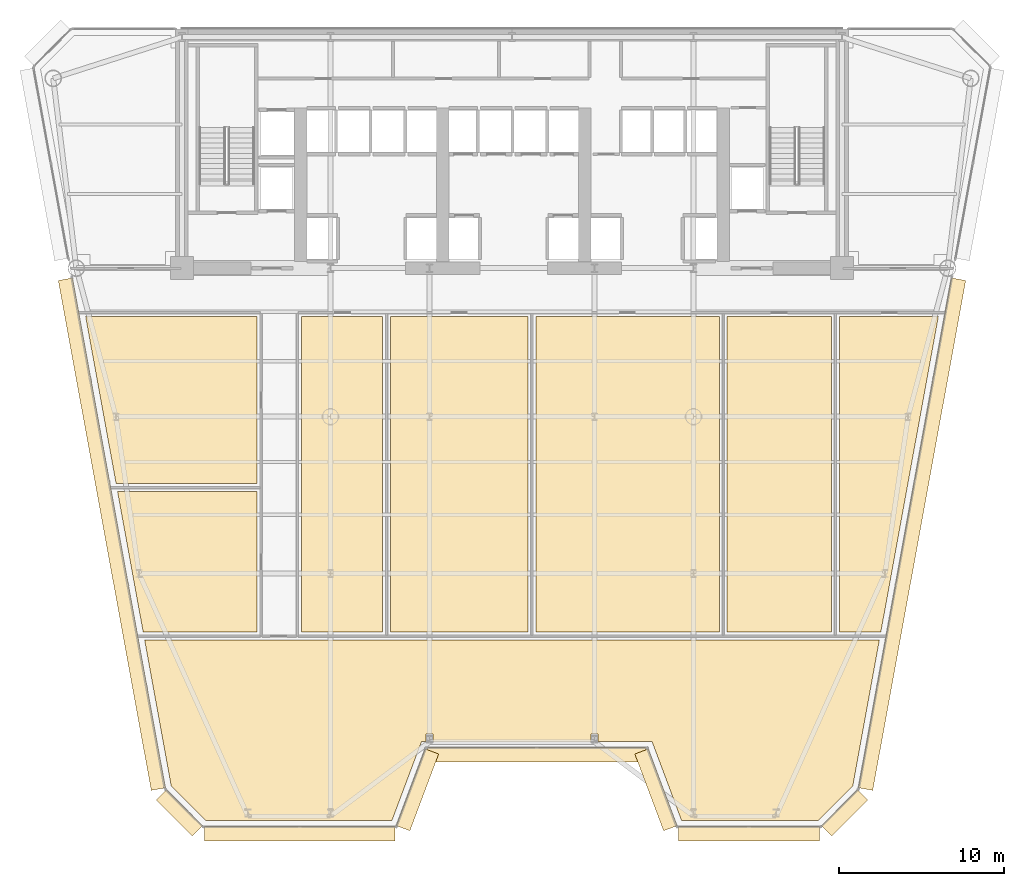
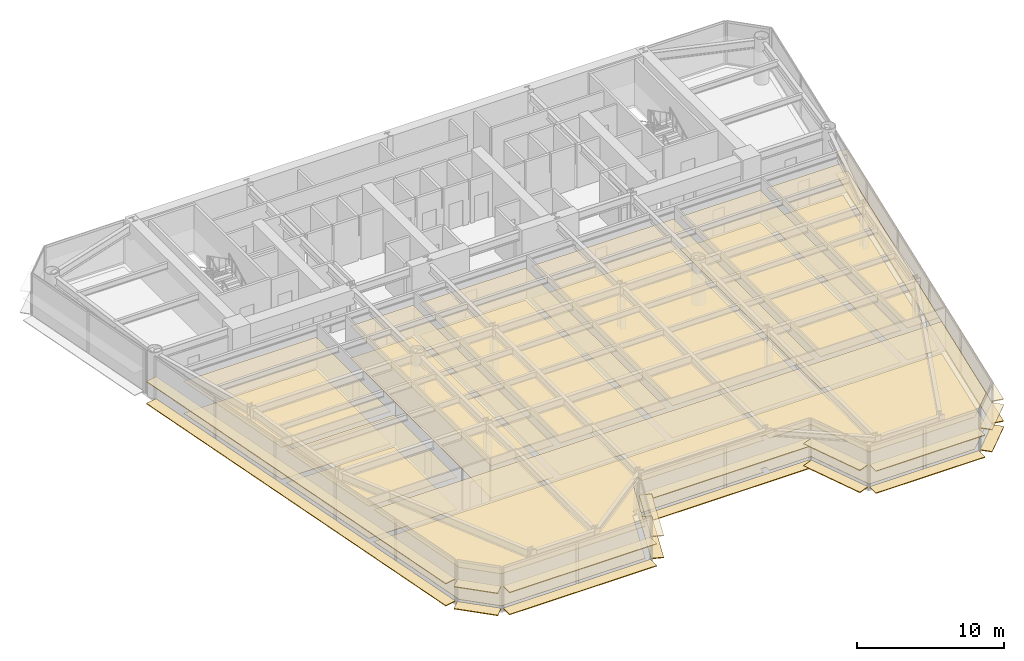
# One storey, part 12 of 15: 34 coverings.
"""IFC4 building model written with IfcOpenShell, lengths in metres."""

from ifc_helpers import new_model, si_unit, direction, frame, origin, origin_2d, place, context, subcontext, project, spatial, polyline, rectangle, outline, extrude, source, transform, mapped, material, layer, layer_set, type_object, element, save


model = new_model("IFC4")

# Units and contexts
model_context = context("Model", 3, precision=1e-05, world=origin(), true_north=direction((0.0, 1.0)))
body_context = subcontext(model_context, "Body", "Model", "MODEL_VIEW")
ifc_project = project(units=[si_unit("LENGTHUNIT", "METRE"), si_unit("AREAUNIT", "SQUARE_METRE"), si_unit("VOLUMEUNIT", "CUBIC_METRE"), si_unit("PLANEANGLEUNIT", "RADIAN"), si_unit("MASSUNIT", "GRAM", prefix="KILO")], contexts=[model_context])

# Site, building, storey
site_placement = place(None, origin())
site = spatial("IfcSite", under=ifc_project, at=site_placement, CompositionType="ELEMENT")
building_placement = place(site_placement, origin())
building = spatial("IfcBuilding", under=site, at=building_placement, Name="Vaeldorn Concourse Tower", CompositionType="ELEMENT")
storey_placement = place(building_placement, frame((0.0, 0.0, 103.39990234375)))
storey = spatial("IfcBuildingStorey", under=building, at=storey_placement, Name="L26", CompositionType="ELEMENT", Elevation=103.39990234375)

# Coverings
ifc_material_1 = material(Name="Acoustic Mineral Fibre Board", Category="gypsum")
ifc_layer_1 = layer(ifc_material_1, 0.0400390625)
ifc_layer_set_1 = layer_set([ifc_layer_1], Name="Acoustic Mineral Fibre Board")
covering_type_1 = type_object("IfcCoveringType", Name="COV-CEIL-ACOUSTIC", PredefinedType="CEILING", material=ifc_layer_set_1)
covering_1_placement = place(storey_placement, frame((0.0, 0.0, 2.650146484375)))
element("IfcCovering", 1, at=covering_1_placement, inside=storey, type_object=covering_type_1, Name="Suspended Acoustic Ceiling L26-5", PredefinedType="CEILING", context=body_context, shape_type="SweptSolid", body=[
    extrude(outline(polyline([(56.2587890625, 13.9599609375), (54.647705078125, 5.12451171875), (52.55322265625, 3.02978515625), (44.277099609375, 3.02978515625), (42.477294921875, 7.829833984375), (39.2119140625, 7.829833984375), (39.2119140625, 8.266845703125), (38.7880859375, 8.266845703125), (38.7880859375, 7.829833984375), (29.2119140625, 7.829833984375), (29.2119140625, 8.266845703125), (28.7880859375, 8.266845703125), (28.7880859375, 7.829833984375), (28.522705078125, 7.829833984375), (26.722900390625, 3.02978515625), (15.44677734375, 3.02978515625), (13.352294921875, 5.12451171875), (11.7412109375, 13.9599609375), (56.2587890625, 13.9599609375)])), origin(), (0.0, 0.0, 1.0), 0.0400390625),
])
covering_2_placement = place(storey_placement, frame((0.0, 0.0, 2.650146484375)))
element("IfcCovering", 2, at=covering_2_placement, inside=storey, type_object=covering_type_1, Name="Suspended Acoustic Ceiling L26-6", PredefinedType="CEILING", context=body_context, shape_type="SweptSolid", body=[
    extrude(outline(polyline([(18.56005859375, 22.9599609375), (18.56005859375, 14.43994140625), (11.653564453125, 14.43994140625), (10.10009765625, 22.9599609375), (18.56005859375, 22.9599609375)])), origin(), (0.0, 0.0, 1.0), 0.0400390625),
])
covering_3_placement = place(storey_placement, frame((0.0, 0.0, 2.650146484375)))
element("IfcCovering", 3, at=covering_3_placement, inside=storey, type_object=covering_type_1, Name="Suspended Acoustic Ceiling L26-7", PredefinedType="CEILING", context=body_context, shape_type="SweptSolid", body=[
    extrude(outline(polyline([(18.56005859375, 33.56005859375), (18.56005859375, 23.43994140625), (10.012451171875, 23.43994140625), (8.167236328125, 33.56005859375), (18.56005859375, 33.56005859375)])), origin(), (0.0, 0.0, 1.0), 0.0400390625),
])
covering_4_placement = place(storey_placement, frame((0.0, 0.0, 2.650146484375)))
element("IfcCovering", 4, at=covering_4_placement, inside=storey, type_object=covering_type_1, Name="Suspended Acoustic Ceiling L26-8", PredefinedType="CEILING", context=body_context, shape_type="SweptSolid", body=[
    extrude(outline(polyline([(21.239990234375, 33.56005859375), (26.159912109375, 33.56005859375), (26.159912109375, 14.43994140625), (21.239990234375, 14.43994140625), (21.239990234375, 33.56005859375)])), origin(), (0.0, 0.0, 1.0), 0.0400390625),
])
covering_5_placement = place(storey_placement, frame((0.0, 0.0, 2.650146484375)))
element("IfcCovering", 5, at=covering_5_placement, inside=storey, type_object=covering_type_1, Name="Suspended Acoustic Ceiling L26-9", PredefinedType="CEILING", context=body_context, shape_type="SweptSolid", body=[
    extrude(outline(polyline([(26.639892578125, 33.56005859375), (34.9599609375, 33.56005859375), (34.9599609375, 14.43994140625), (26.639892578125, 14.43994140625), (26.639892578125, 33.56005859375)])), origin(), (0.0, 0.0, 1.0), 0.0400390625),
])
covering_6_placement = place(storey_placement, frame((0.0, 0.0, 2.650146484375)))
element("IfcCovering", 6, at=covering_6_placement, inside=storey, type_object=covering_type_1, Name="Suspended Acoustic Ceiling L26-10", PredefinedType="CEILING", context=body_context, shape_type="SweptSolid", body=[
    extrude(outline(polyline([(35.43994140625, 33.56005859375), (46.56005859375, 33.56005859375), (46.56005859375, 14.43994140625), (35.43994140625, 14.43994140625), (35.43994140625, 33.56005859375)])), origin(), (0.0, 0.0, 1.0), 0.0400390625),
])
covering_7_placement = place(storey_placement, frame((0.0, 0.0, 2.650146484375)))
element("IfcCovering", 7, at=covering_7_placement, inside=storey, type_object=covering_type_1, Name="Suspended Acoustic Ceiling L26-11", PredefinedType="CEILING", context=body_context, shape_type="SweptSolid", body=[
    extrude(outline(polyline([(47.0400390625, 33.56005859375), (53.360107421875, 33.56005859375), (53.360107421875, 14.43994140625), (47.0400390625, 14.43994140625), (47.0400390625, 33.56005859375)])), origin(), (0.0, 0.0, 1.0), 0.0400390625),
])
covering_8_placement = place(storey_placement, frame((0.0, 0.0, 2.650146484375)))
element("IfcCovering", 8, at=covering_8_placement, inside=storey, type_object=covering_type_1, Name="Suspended Acoustic Ceiling L26-12", PredefinedType="CEILING", context=body_context, shape_type="SweptSolid", body=[
    extrude(outline(polyline([(53.840087890625, 14.43994140625), (53.840087890625, 33.56005859375), (59.832763671875, 33.56005859375), (56.346435546875, 14.43994140625), (53.840087890625, 14.43994140625)])), origin(), (0.0, 0.0, 1.0), 0.0400390625),
])
ifc_material_2 = material(Name="Honed Limestone Terrazzo Flooring", Category="masonry")
ifc_layer_2 = layer(ifc_material_2, 0.0400390625)
ifc_layer_set_2 = layer_set([ifc_layer_2], Name="Honed Limestone Terrazzo Flooring")
covering_type_2 = type_object("IfcCoveringType", Name="COV-FLOOR-STONE", PredefinedType="FLOORING", material=ifc_layer_set_2)
covering_9_placement = place(storey_placement, origin())
element("IfcCovering", 9, at=covering_9_placement, inside=storey, type_object=covering_type_2, Name="Floor Finish Covering L26-5", PredefinedType="FLOORING", context=body_context, shape_type="SweptSolid", body=[
    extrude(outline(polyline([(56.2587890625, 13.9599609375), (54.647705078125, 5.12451171875), (52.55322265625, 3.02978515625), (44.277099609375, 3.02978515625), (42.477294921875, 7.829833984375), (39.2119140625, 7.829833984375), (39.2119140625, 8.266845703125), (38.7880859375, 8.266845703125), (38.7880859375, 7.829833984375), (29.2119140625, 7.829833984375), (29.2119140625, 8.266845703125), (28.7880859375, 8.266845703125), (28.7880859375, 7.829833984375), (28.522705078125, 7.829833984375), (26.722900390625, 3.02978515625), (15.44677734375, 3.02978515625), (13.352294921875, 5.12451171875), (11.7412109375, 13.9599609375), (56.2587890625, 13.9599609375)])), origin(), (0.0, 0.0, 1.0), 0.030029296875),
])
covering_10_placement = place(storey_placement, origin())
element("IfcCovering", 10, at=covering_10_placement, inside=storey, type_object=covering_type_2, Name="Floor Finish Covering L26-6", PredefinedType="FLOORING", context=body_context, shape_type="SweptSolid", body=[
    extrude(outline(polyline([(18.56005859375, 22.9599609375), (18.56005859375, 14.43994140625), (11.653564453125, 14.43994140625), (10.10009765625, 22.9599609375), (18.56005859375, 22.9599609375)])), origin(), (0.0, 0.0, 1.0), 0.030029296875),
])
covering_11_placement = place(storey_placement, origin())
element("IfcCovering", 11, at=covering_11_placement, inside=storey, type_object=covering_type_2, Name="Floor Finish Covering L26-7", PredefinedType="FLOORING", context=body_context, shape_type="SweptSolid", body=[
    extrude(outline(polyline([(18.56005859375, 33.56005859375), (18.56005859375, 23.43994140625), (10.012451171875, 23.43994140625), (8.167236328125, 33.56005859375), (18.56005859375, 33.56005859375)])), origin(), (0.0, 0.0, 1.0), 0.030029296875),
])
covering_12_placement = place(storey_placement, origin())
element("IfcCovering", 12, at=covering_12_placement, inside=storey, type_object=covering_type_2, Name="Floor Finish Covering L26-8", PredefinedType="FLOORING", context=body_context, shape_type="SweptSolid", body=[
    extrude(outline(polyline([(21.239990234375, 33.56005859375), (26.159912109375, 33.56005859375), (26.159912109375, 14.43994140625), (21.239990234375, 14.43994140625), (21.239990234375, 33.56005859375)])), origin(), (0.0, 0.0, 1.0), 0.030029296875),
])
covering_13_placement = place(storey_placement, origin())
element("IfcCovering", 13, at=covering_13_placement, inside=storey, type_object=covering_type_2, Name="Floor Finish Covering L26-9", PredefinedType="FLOORING", context=body_context, shape_type="SweptSolid", body=[
    extrude(outline(polyline([(26.639892578125, 33.56005859375), (34.9599609375, 33.56005859375), (34.9599609375, 14.43994140625), (26.639892578125, 14.43994140625), (26.639892578125, 33.56005859375)])), origin(), (0.0, 0.0, 1.0), 0.030029296875),
])
covering_14_placement = place(storey_placement, origin())
element("IfcCovering", 14, at=covering_14_placement, inside=storey, type_object=covering_type_2, Name="Floor Finish Covering L26-10", PredefinedType="FLOORING", context=body_context, shape_type="SweptSolid", body=[
    extrude(outline(polyline([(35.43994140625, 33.56005859375), (46.56005859375, 33.56005859375), (46.56005859375, 14.43994140625), (35.43994140625, 14.43994140625), (35.43994140625, 33.56005859375)])), origin(), (0.0, 0.0, 1.0), 0.030029296875),
])
covering_15_placement = place(storey_placement, origin())
element("IfcCovering", 15, at=covering_15_placement, inside=storey, type_object=covering_type_2, Name="Floor Finish Covering L26-11", PredefinedType="FLOORING", context=body_context, shape_type="SweptSolid", body=[
    extrude(outline(polyline([(47.0400390625, 33.56005859375), (53.360107421875, 33.56005859375), (53.360107421875, 14.43994140625), (47.0400390625, 14.43994140625), (47.0400390625, 33.56005859375)])), origin(), (0.0, 0.0, 1.0), 0.030029296875),
])
covering_16_placement = place(storey_placement, origin())
element("IfcCovering", 16, at=covering_16_placement, inside=storey, type_object=covering_type_2, Name="Floor Finish Covering L26-12", PredefinedType="FLOORING", context=body_context, shape_type="SweptSolid", body=[
    extrude(outline(polyline([(53.840087890625, 14.43994140625), (53.840087890625, 33.56005859375), (59.832763671875, 33.56005859375), (56.346435546875, 14.43994140625), (53.840087890625, 14.43994140625)])), origin(), (0.0, 0.0, 1.0), 0.030029296875),
])
ifc_material_3 = material(Name="Anodised Bronze Aluminium", Category="aluminium")
ifc_layer_3 = layer(ifc_material_3, 0.06494140625)
ifc_layer_set_3 = layer_set([ifc_layer_3], Name="Anodised Bronze Aluminium")
covering_type_3 = type_object("IfcCoveringType", Name="SD-BRONZE-SUNSHADE", PredefinedType="USERDEFINED", material=ifc_layer_set_3)
shared_shape_1 = source(origin(), body_context, "Body", "SweptSolid", [
    extrude(rectangle(XDim=4.96630859375, YDim=0.8798828125, at=origin_2d()), origin(), (0.0, 0.0, 1.0), 0.06494140625),
])
for number, where, z_axis, x_axis, name in (
    (17, (28.2744140625, 4.889404296875, 0.047607421875), (0.0, 0.0, 1.0), (0.351122702609, 0.936329454686, 0.0), "Horizontal Bronze Sunshade L26-E02.1.1"),
    (18, (28.2744140625, 4.889404296875, 1.86767578125), (0.0, 0.0, 1.0), (0.351122702609, 0.936329454686, 0.0), "Horizontal Bronze Sunshade L26-E02.1.2"),
    (19, (42.7255859375, 4.889404296875, 0.047607421875), (0.0, 0.0, 1.0), (0.351122702609, -0.936329454686, 0.0), "Horizontal Bronze Sunshade L26-E04.1.1"),
    (20, (42.7255859375, 4.889404296875, 1.86767578125), (0.0, 0.0, 1.0), (0.351122702609, -0.936329454686, 0.0), "Horizontal Bronze Sunshade L26-E04.1.2"),
):
    element("IfcCovering", number, at=place(storey_placement, frame(where, z_axis=z_axis, x_axis=x_axis)), inside=storey, type_object=covering_type_3, Name=name, ObjectType="SUNSHADE", PredefinedType="USERDEFINED", context=body_context, shape_type="MappedRepresentation", body=[
        mapped(shared_shape_1, transform((0.0, 0.0, 0.0), scale=1.0)),
    ])
shared_shape_2 = source(origin(), body_context, "Body", "SweptSolid", [
    extrude(rectangle(XDim=13.239990234375, YDim=0.8798828125, at=origin_2d()), origin(), (0.0, 0.0, 1.0), 0.06494140625),
])
for number, where, z_axis, x_axis, name in (
    (21, (35.5, 7.02978515625, 0.047607421875), (0.0, 0.0, 1.0), (1.0, 0.0, 0.0), "Horizontal Bronze Sunshade L26-E03.1.1"),
    (22, (35.5, 7.02978515625, 1.86767578125), (0.0, 0.0, 1.0), (1.0, 0.0, 0.0), "Horizontal Bronze Sunshade L26-E03.1.2"),
):
    element("IfcCovering", number, at=place(storey_placement, frame(where, z_axis=z_axis, x_axis=x_axis)), inside=storey, type_object=covering_type_3, Name=name, ObjectType="SUNSHADE", PredefinedType="USERDEFINED", context=body_context, shape_type="MappedRepresentation", body=[
        mapped(shared_shape_2, transform((0.0, 0.0, 0.0), scale=1.0)),
    ])
shared_shape_3 = source(origin(), body_context, "Body", "SweptSolid", [
    extrude(rectangle(XDim=3.0927734375, YDim=0.8798828125, at=origin_2d()), origin(), (0.0, 0.0, 1.0), 0.06494140625),
])
for number, where, z_axis, x_axis, name in (
    (23, (54.151611328125, 3.4970703125, 0.047607421875), (0.0, 0.0, 1.0), (0.707106781187, 0.707106781187, 0.0), "Horizontal Bronze Sunshade L26-E06.1.1"),
    (24, (54.151611328125, 3.4970703125, 1.86767578125), (0.0, 0.0, 1.0), (0.707106781187, 0.707106781187, 0.0), "Horizontal Bronze Sunshade L26-E06.1.2"),
    (25, (13.848388671875, 3.4970703125, 0.047607421875), (0.0, 0.0, 1.0), (0.707106781187, -0.707106781187, 0.0), "Horizontal Bronze Sunshade L26-E12.1.1"),
    (26, (13.848388671875, 3.4970703125, 1.86767578125), (0.0, 0.0, 1.0), (0.707106781187, -0.707106781187, 0.0), "Horizontal Bronze Sunshade L26-E12.1.2"),
):
    element("IfcCovering", number, at=place(storey_placement, frame(where, z_axis=z_axis, x_axis=x_axis)), inside=storey, type_object=covering_type_3, Name=name, ObjectType="SUNSHADE", PredefinedType="USERDEFINED", context=body_context, shape_type="MappedRepresentation", body=[
        mapped(shared_shape_3, transform((0.0, 0.0, 0.0), scale=1.0)),
    ])
shared_shape_4 = source(origin(), body_context, "Body", "SweptSolid", [
    extrude(rectangle(XDim=11.558837890625, YDim=0.8798828125, at=origin_2d()), origin(), (0.0, 0.0, 1.0), 0.06494140625),
])
for number, where, z_axis, x_axis, name in (
    (27, (21.140625, 2.229736328125, 0.047607421875), (0.0, 0.0, 1.0), (1.0, 0.0, 0.0), "Horizontal Bronze Sunshade L26-E01.1.1"),
    (28, (21.140625, 2.229736328125, 1.86767578125), (0.0, 0.0, 1.0), (1.0, 0.0, 0.0), "Horizontal Bronze Sunshade L26-E01.1.2"),
):
    element("IfcCovering", number, at=place(storey_placement, frame(where, z_axis=z_axis, x_axis=x_axis)), inside=storey, type_object=covering_type_3, Name=name, ObjectType="SUNSHADE", PredefinedType="USERDEFINED", context=body_context, shape_type="MappedRepresentation", body=[
        mapped(shared_shape_4, transform((0.0, 0.0, 0.0), scale=1.0)),
    ])
shared_shape_5 = source(origin(), body_context, "Body", "SweptSolid", [
    extrude(rectangle(XDim=8.558837890625, YDim=0.8798828125, at=origin_2d()), origin(), (0.0, 0.0, 1.0), 0.06494140625),
])
for number, where, z_axis, x_axis, name in (
    (29, (48.359375, 2.229736328125, 0.047607421875), (0.0, 0.0, 1.0), (1.0, 0.0, 0.0), "Horizontal Bronze Sunshade L26-E05.1.1"),
    (30, (48.359375, 2.229736328125, 1.86767578125), (0.0, 0.0, 1.0), (1.0, 0.0, 0.0), "Horizontal Bronze Sunshade L26-E05.1.2"),
):
    element("IfcCovering", number, at=place(storey_placement, frame(where, z_axis=z_axis, x_axis=x_axis)), inside=storey, type_object=covering_type_3, Name=name, ObjectType="SUNSHADE", PredefinedType="USERDEFINED", context=body_context, shape_type="MappedRepresentation", body=[
        mapped(shared_shape_5, transform((0.0, 0.0, 0.0), scale=1.0)),
    ])
shared_shape_6 = source(origin(), body_context, "Body", "SweptSolid", [
    extrude(rectangle(XDim=31.404296875, YDim=0.8798828125, at=origin_2d()), origin(), (0.0, 0.0, 1.0), 0.06494140625),
])
for number, where, z_axis, x_axis, name in (
    (31, (58.243408203125, 20.384033203125, 0.047607421875), (0.0, 0.0, 1.0), (0.179386032735, 0.983778761338, 0.0), "Horizontal Bronze Sunshade L26-E07.1.1"),
    (32, (58.243408203125, 20.384033203125, 1.86767578125), (0.0, 0.0, 1.0), (0.179386032735, 0.983778761338, 0.0), "Horizontal Bronze Sunshade L26-E07.1.2"),
    (33, (9.756591796875, 20.384033203125, 0.047607421875), (0.0, 0.0, 1.0), (0.179386032735, -0.983778761338, 0.0), "Horizontal Bronze Sunshade L26-E11.2.1"),
    (34, (9.756591796875, 20.384033203125, 1.86767578125), (0.0, 0.0, 1.0), (0.179386032735, -0.983778761338, 0.0), "Horizontal Bronze Sunshade L26-E11.2.2"),
):
    element("IfcCovering", number, at=place(storey_placement, frame(where, z_axis=z_axis, x_axis=x_axis)), inside=storey, type_object=covering_type_3, Name=name, ObjectType="SUNSHADE", PredefinedType="USERDEFINED", context=body_context, shape_type="MappedRepresentation", body=[
        mapped(shared_shape_6, transform((0.0, 0.0, 0.0), scale=1.0)),
    ])

save(model, "model.ifc")
